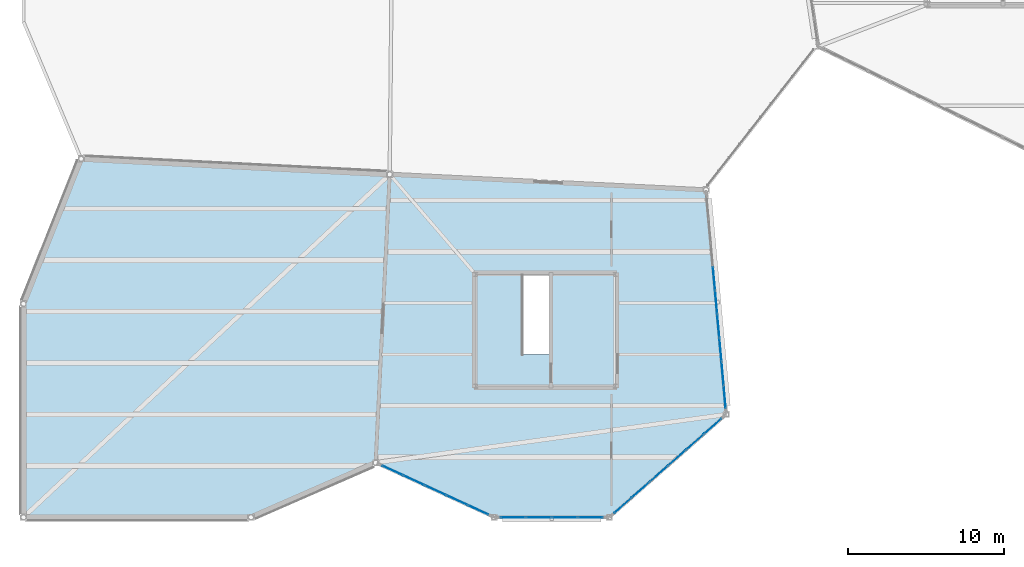
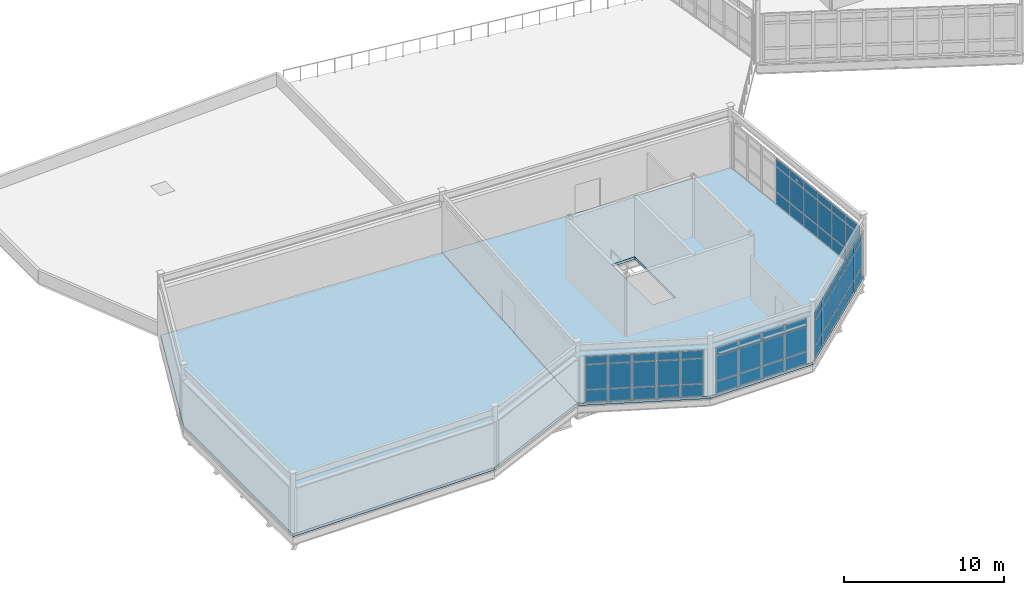
# One storey, part 68 of 114: 63 plates, 2 slabs, 4 elements without a shape of their own.
"""IFC4 building model written with IfcOpenShell, lengths in metres."""

from ifc_helpers import new_model, si_unit, direction, frame, origin, origin_2d, place, context, subcontext, project, spatial, polyline, rectangle, outline, extrude, material, layer, layer_set, type_object, element, aggregate, save


model = new_model("IFC4")

# Units and contexts
model_context = context("Model", 3, precision=1e-05, world=origin(), true_north=direction((0.0, 1.0)))
body_context = subcontext(model_context, "Body", "Model", "MODEL_VIEW")
ifc_project = project(units=[si_unit("LENGTHUNIT", "METRE"), si_unit("AREAUNIT", "SQUARE_METRE"), si_unit("VOLUMEUNIT", "CUBIC_METRE"), si_unit("PLANEANGLEUNIT", "RADIAN"), si_unit("MASSUNIT", "GRAM", prefix="KILO")], contexts=[model_context])

# Site, building, storey
site_placement = place(None, origin())
site = spatial("IfcSite", under=ifc_project, at=site_placement, CompositionType="ELEMENT")
building_placement = place(site_placement, origin())
building = spatial("IfcBuilding", under=site, at=building_placement, Name="Tameran Prism Museum", CompositionType="ELEMENT")
storey_placement = place(building_placement, frame((0.0, 0.0, 10.199951171875)))
storey = spatial("IfcBuildingStorey", under=building, at=storey_placement, Name="L02", CompositionType="ELEMENT", Elevation=10.199951171875)

# Curtain wall, plates
ifc_material_1 = material(Name="Anodised Aluminium 6063-T6 and Cyclone Solar Glass", Category="aluminium")
curtain_wall_type_1 = type_object("IfcCurtainWallType", Name="CW-FAC-670x362", PredefinedType="USERDEFINED", material=ifc_material_1)
curtain_wall_1_placement = place(storey_placement, origin())
curtain_wall_1 = element("IfcCurtainWall", 1, at=curtain_wall_1_placement, inside=storey, type_object=curtain_wall_type_1, Name="Unitised Curtain Wall CW-121", ObjectType="UNITISED CURTAIN WALL", PredefinedType="USERDEFINED")
ifc_material_2 = material(Name="Low-E Laminated Solar Glass", Category="glass")
ifc_layer_1 = layer(ifc_material_2, 0.028076171875)
ifc_layer_set_1 = layer_set([ifc_layer_1])
plate_type_1 = type_object("IfcPlateType", Name="CW-PNL-G28", PredefinedType="CURTAIN_PANEL", material=ifc_layer_set_1)
plate_1_placement = place(storey_placement, frame((36.393798828125, 0.0, 0.0751953125), z_axis=(0.0, 0.0, 1.0), x_axis=(-1.0, 0.0, 0.0)))
plate_1 = element("IfcPlate", 2, at=plate_1_placement, type_object=plate_type_1, Name="CW-121 panel 1.1", PredefinedType="CURTAIN_PANEL", context=body_context, shape_type="SweptSolid", body=[
    extrude(rectangle(XDim=1.5625, YDim=0.028076171875, at=origin_2d()), origin(), (0.0, 0.0, 1.0), 0.887451171875),
])
plate_2_placement = place(storey_placement, frame((36.393798828125, 0.0, 1.03759765625), z_axis=(0.0, 0.0, 1.0), x_axis=(-1.0, 0.0, 0.0)))
plate_2 = element("IfcPlate", 3, at=plate_2_placement, type_object=plate_type_1, Name="CW-121 panel 1.2", PredefinedType="CURTAIN_PANEL", context=body_context, shape_type="SweptSolid", body=[
    extrude(rectangle(XDim=1.5625, YDim=0.028076171875, at=origin_2d()), origin(), (0.0, 0.0, 1.0), 1.864990234375),
])
plate_3_placement = place(storey_placement, frame((36.393798828125, 0.0, 2.9775390625), z_axis=(0.0, 0.0, 1.0), x_axis=(-1.0, 0.0, 0.0)))
plate_3 = element("IfcPlate", 4, at=plate_3_placement, type_object=plate_type_1, Name="CW-121 panel 1.3", PredefinedType="CURTAIN_PANEL", context=body_context, shape_type="SweptSolid", body=[
    extrude(rectangle(XDim=1.5625, YDim=0.028076171875, at=origin_2d()), origin(), (0.0, 0.0, 1.0), 0.5673828125),
])
plate_4_placement = place(storey_placement, frame((34.737548828125, 0.0, 0.0751953125), z_axis=(0.0, 0.0, 1.0), x_axis=(-1.0, 0.0, 0.0)))
plate_4 = element("IfcPlate", 5, at=plate_4_placement, type_object=plate_type_1, Name="CW-121 panel 2.1", PredefinedType="CURTAIN_PANEL", context=body_context, shape_type="SweptSolid", body=[
    extrude(rectangle(XDim=1.60009765625, YDim=0.028076171875, at=origin_2d()), origin(), (0.0, 0.0, 1.0), 0.887451171875),
])
plate_5_placement = place(storey_placement, frame((34.737548828125, 0.0, 1.03759765625), z_axis=(0.0, 0.0, 1.0), x_axis=(-1.0, 0.0, 0.0)))
plate_5 = element("IfcPlate", 6, at=plate_5_placement, type_object=plate_type_1, Name="CW-121 panel 2.2", PredefinedType="CURTAIN_PANEL", context=body_context, shape_type="SweptSolid", body=[
    extrude(rectangle(XDim=1.60009765625, YDim=0.028076171875, at=origin_2d()), origin(), (0.0, 0.0, 1.0), 1.864990234375),
])
plate_6_placement = place(storey_placement, frame((34.737548828125, 0.0, 2.9775390625), z_axis=(0.0, 0.0, 1.0), x_axis=(-1.0, 0.0, 0.0)))
plate_6 = element("IfcPlate", 7, at=plate_6_placement, type_object=plate_type_1, Name="CW-121 panel 2.3", PredefinedType="CURTAIN_PANEL", context=body_context, shape_type="SweptSolid", body=[
    extrude(rectangle(XDim=1.60009765625, YDim=0.028076171875, at=origin_2d()), origin(), (0.0, 0.0, 1.0), 0.5673828125),
])
plate_7_placement = place(storey_placement, frame((33.0625, 0.0, 0.0751953125), z_axis=(0.0, 0.0, 1.0), x_axis=(-1.0, 0.0, 0.0)))
plate_7 = element("IfcPlate", 8, at=plate_7_placement, type_object=plate_type_1, Name="CW-121 panel 3.1", PredefinedType="CURTAIN_PANEL", context=body_context, shape_type="SweptSolid", body=[
    extrude(rectangle(XDim=1.60009765625, YDim=0.028076171875, at=origin_2d()), origin(), (0.0, 0.0, 1.0), 0.887451171875),
])
plate_8_placement = place(storey_placement, frame((33.0625, 0.0, 1.03759765625), z_axis=(0.0, 0.0, 1.0), x_axis=(-1.0, 0.0, 0.0)))
plate_8 = element("IfcPlate", 9, at=plate_8_placement, type_object=plate_type_1, Name="CW-121 panel 3.2", PredefinedType="CURTAIN_PANEL", context=body_context, shape_type="SweptSolid", body=[
    extrude(rectangle(XDim=1.60009765625, YDim=0.028076171875, at=origin_2d()), origin(), (0.0, 0.0, 1.0), 1.864990234375),
])
plate_9_placement = place(storey_placement, frame((33.0625, 0.0, 2.9775390625), z_axis=(0.0, 0.0, 1.0), x_axis=(-1.0, 0.0, 0.0)))
plate_9 = element("IfcPlate", 10, at=plate_9_placement, type_object=plate_type_1, Name="CW-121 panel 3.3", PredefinedType="CURTAIN_PANEL", context=body_context, shape_type="SweptSolid", body=[
    extrude(rectangle(XDim=1.60009765625, YDim=0.028076171875, at=origin_2d()), origin(), (0.0, 0.0, 1.0), 0.5673828125),
])
plate_10_placement = place(storey_placement, frame((31.40625, 0.0, 0.0751953125), z_axis=(0.0, 0.0, 1.0), x_axis=(-1.0, 0.0, 0.0)))
plate_10 = element("IfcPlate", 11, at=plate_10_placement, type_object=plate_type_1, Name="CW-121 panel 4.1", PredefinedType="CURTAIN_PANEL", context=body_context, shape_type="SweptSolid", body=[
    extrude(rectangle(XDim=1.5625, YDim=0.028076171875, at=origin_2d()), origin(), (0.0, 0.0, 1.0), 0.887451171875),
])
plate_11_placement = place(storey_placement, frame((31.40625, 0.0, 1.03759765625), z_axis=(0.0, 0.0, 1.0), x_axis=(-1.0, 0.0, 0.0)))
plate_11 = element("IfcPlate", 12, at=plate_11_placement, type_object=plate_type_1, Name="CW-121 panel 4.2", PredefinedType="CURTAIN_PANEL", context=body_context, shape_type="SweptSolid", body=[
    extrude(rectangle(XDim=1.5625, YDim=0.028076171875, at=origin_2d()), origin(), (0.0, 0.0, 1.0), 1.864990234375),
])
plate_12_placement = place(storey_placement, frame((31.40625, 0.0, 2.9775390625), z_axis=(0.0, 0.0, 1.0), x_axis=(-1.0, 0.0, 0.0)))
plate_12 = element("IfcPlate", 13, at=plate_12_placement, type_object=plate_type_1, Name="CW-121 panel 4.3", PredefinedType="CURTAIN_PANEL", context=body_context, shape_type="SweptSolid", body=[
    extrude(rectangle(XDim=1.5625, YDim=0.028076171875, at=origin_2d()), origin(), (0.0, 0.0, 1.0), 0.5673828125),
])
aggregate(curtain_wall_1, [plate_1, plate_2, plate_3, plate_4, plate_5, plate_6, plate_7, plate_8, plate_9, plate_10, plate_11, plate_12])

ifc_material_3 = material(Name="Anodised Aluminium 6063-T6 and Cyclone Solar Glass", Category="aluminium")
curtain_wall_type_2 = type_object("IfcCurtainWallType", Name="CW-FAC-929x362", PredefinedType="USERDEFINED", material=ifc_material_3)
curtain_wall_2_placement = place(storey_placement, origin())
curtain_wall_2 = element("IfcCurtainWall", 14, at=curtain_wall_2_placement, inside=storey, type_object=curtain_wall_type_2, Name="Unitised Curtain Wall CW-122", ObjectType="UNITISED CURTAIN WALL", PredefinedType="USERDEFINED")
plate_13_placement = place(storey_placement, frame((44.24072265625, 5.84423828125, 0.080078125), z_axis=(0.0, 0.0, 1.0), x_axis=(-0.750666538716, -0.660681275391, 0.0)))
plate_13 = element("IfcPlate", 15, at=plate_13_placement, type_object=plate_type_1, Name="CW-122 panel 1.1", PredefinedType="CURTAIN_PANEL", context=body_context, shape_type="SweptSolid", body=[
    extrude(rectangle(XDim=1.428466796875, YDim=0.028076171875, at=origin_2d()), origin(), (0.0, 0.0, 1.0), 0.8798828125),
])
plate_14_placement = place(storey_placement, frame((44.24072265625, 5.84423828125, 1.0400390625), z_axis=(0.0, 0.0, 1.0), x_axis=(-0.750666538716, -0.660681275391, 0.0)))
plate_14 = element("IfcPlate", 16, at=plate_14_placement, type_object=plate_type_1, Name="CW-122 panel 1.2", PredefinedType="CURTAIN_PANEL", context=body_context, shape_type="SweptSolid", body=[
    extrude(rectangle(XDim=1.428466796875, YDim=0.028076171875, at=origin_2d()), origin(), (0.0, 0.0, 1.0), 1.860107421875),
])
plate_15_placement = place(storey_placement, frame((44.24072265625, 5.84423828125, 2.97998046875), z_axis=(0.0, 0.0, 1.0), x_axis=(-0.750666538716, -0.660681275391, 0.0)))
plate_15 = element("IfcPlate", 17, at=plate_15_placement, type_object=plate_type_1, Name="CW-122 panel 1.3", PredefinedType="CURTAIN_PANEL", context=body_context, shape_type="SweptSolid", body=[
    extrude(rectangle(XDim=1.428466796875, YDim=0.028076171875, at=origin_2d()), origin(), (0.0, 0.0, 1.0), 0.56005859375),
])
plate_16_placement = place(storey_placement, frame((43.093505859375, 4.83447265625, 0.080078125), z_axis=(0.0, 0.0, 1.0), x_axis=(-0.750666538716, -0.660681275391, 0.0)))
plate_16 = element("IfcPlate", 18, at=plate_16_placement, type_object=plate_type_1, Name="CW-122 panel 2.1", PredefinedType="CURTAIN_PANEL", context=body_context, shape_type="SweptSolid", body=[
    extrude(rectangle(XDim=1.468505859375, YDim=0.028076171875, at=origin_2d()), origin(), (0.0, 0.0, 1.0), 0.8798828125),
])
plate_17_placement = place(storey_placement, frame((43.093505859375, 4.83447265625, 1.0400390625), z_axis=(0.0, 0.0, 1.0), x_axis=(-0.750666538716, -0.660681275391, 0.0)))
plate_17 = element("IfcPlate", 19, at=plate_17_placement, type_object=plate_type_1, Name="CW-122 panel 2.2", PredefinedType="CURTAIN_PANEL", context=body_context, shape_type="SweptSolid", body=[
    extrude(rectangle(XDim=1.468505859375, YDim=0.028076171875, at=origin_2d()), origin(), (0.0, 0.0, 1.0), 1.860107421875),
])
plate_18_placement = place(storey_placement, frame((43.093505859375, 4.83447265625, 2.97998046875), z_axis=(0.0, 0.0, 1.0), x_axis=(-0.750666538716, -0.660681275391, 0.0)))
plate_18 = element("IfcPlate", 20, at=plate_18_placement, type_object=plate_type_1, Name="CW-122 panel 2.3", PredefinedType="CURTAIN_PANEL", context=body_context, shape_type="SweptSolid", body=[
    extrude(rectangle(XDim=1.468505859375, YDim=0.028076171875, at=origin_2d()), origin(), (0.0, 0.0, 1.0), 0.56005859375),
])
plate_19_placement = place(storey_placement, frame((41.93115234375, 3.8115234375, 0.080078125), z_axis=(0.0, 0.0, 1.0), x_axis=(-0.750666538716, -0.660681275391, 0.0)))
plate_19 = element("IfcPlate", 21, at=plate_19_placement, type_object=plate_type_1, Name="CW-122 panel 3.1", PredefinedType="CURTAIN_PANEL", context=body_context, shape_type="SweptSolid", body=[
    extrude(rectangle(XDim=1.468505859375, YDim=0.028076171875, at=origin_2d()), origin(), (0.0, 0.0, 1.0), 0.8798828125),
])
plate_20_placement = place(storey_placement, frame((41.93115234375, 3.8115234375, 1.0400390625), z_axis=(0.0, 0.0, 1.0), x_axis=(-0.750666538716, -0.660681275391, 0.0)))
plate_20 = element("IfcPlate", 22, at=plate_20_placement, type_object=plate_type_1, Name="CW-122 panel 3.2", PredefinedType="CURTAIN_PANEL", context=body_context, shape_type="SweptSolid", body=[
    extrude(rectangle(XDim=1.468505859375, YDim=0.028076171875, at=origin_2d()), origin(), (0.0, 0.0, 1.0), 1.860107421875),
])
plate_21_placement = place(storey_placement, frame((41.93115234375, 3.8115234375, 2.97998046875), z_axis=(0.0, 0.0, 1.0), x_axis=(-0.750666538716, -0.660681275391, 0.0)))
plate_21 = element("IfcPlate", 23, at=plate_21_placement, type_object=plate_type_1, Name="CW-122 panel 3.3", PredefinedType="CURTAIN_PANEL", context=body_context, shape_type="SweptSolid", body=[
    extrude(rectangle(XDim=1.468505859375, YDim=0.028076171875, at=origin_2d()), origin(), (0.0, 0.0, 1.0), 0.56005859375),
])
plate_22_placement = place(storey_placement, frame((40.768798828125, 2.78857421875, 0.080078125), z_axis=(0.0, 0.0, 1.0), x_axis=(-0.750666538716, -0.660681275391, 0.0)))
plate_22 = element("IfcPlate", 24, at=plate_22_placement, type_object=plate_type_1, Name="CW-122 panel 4.1", PredefinedType="CURTAIN_PANEL", context=body_context, shape_type="SweptSolid", body=[
    extrude(rectangle(XDim=1.468505859375, YDim=0.028076171875, at=origin_2d()), origin(), (0.0, 0.0, 1.0), 0.8798828125),
])
plate_23_placement = place(storey_placement, frame((40.768798828125, 2.78857421875, 1.0400390625), z_axis=(0.0, 0.0, 1.0), x_axis=(-0.750666538716, -0.660681275391, 0.0)))
plate_23 = element("IfcPlate", 25, at=plate_23_placement, type_object=plate_type_1, Name="CW-122 panel 4.2", PredefinedType="CURTAIN_PANEL", context=body_context, shape_type="SweptSolid", body=[
    extrude(rectangle(XDim=1.468505859375, YDim=0.028076171875, at=origin_2d()), origin(), (0.0, 0.0, 1.0), 1.860107421875),
])
plate_24_placement = place(storey_placement, frame((40.768798828125, 2.78857421875, 2.97998046875), z_axis=(0.0, 0.0, 1.0), x_axis=(-0.750666538716, -0.660681275391, 0.0)))
plate_24 = element("IfcPlate", 26, at=plate_24_placement, type_object=plate_type_1, Name="CW-122 panel 4.3", PredefinedType="CURTAIN_PANEL", context=body_context, shape_type="SweptSolid", body=[
    extrude(rectangle(XDim=1.468505859375, YDim=0.028076171875, at=origin_2d()), origin(), (0.0, 0.0, 1.0), 0.56005859375),
])
plate_25_placement = place(storey_placement, frame((39.6064453125, 1.765380859375, 0.080078125), z_axis=(0.0, 0.0, 1.0), x_axis=(-0.750666538716, -0.660681275391, 0.0)))
plate_25 = element("IfcPlate", 27, at=plate_25_placement, type_object=plate_type_1, Name="CW-122 panel 5.1", PredefinedType="CURTAIN_PANEL", context=body_context, shape_type="SweptSolid", body=[
    extrude(rectangle(XDim=1.468505859375, YDim=0.028076171875, at=origin_2d()), origin(), (0.0, 0.0, 1.0), 0.8798828125),
])
plate_26_placement = place(storey_placement, frame((39.6064453125, 1.765380859375, 1.0400390625), z_axis=(0.0, 0.0, 1.0), x_axis=(-0.750666538716, -0.660681275391, 0.0)))
plate_26 = element("IfcPlate", 28, at=plate_26_placement, type_object=plate_type_1, Name="CW-122 panel 5.2", PredefinedType="CURTAIN_PANEL", context=body_context, shape_type="SweptSolid", body=[
    extrude(rectangle(XDim=1.468505859375, YDim=0.028076171875, at=origin_2d()), origin(), (0.0, 0.0, 1.0), 1.860107421875),
])
plate_27_placement = place(storey_placement, frame((39.6064453125, 1.765380859375, 2.97998046875), z_axis=(0.0, 0.0, 1.0), x_axis=(-0.750666538716, -0.660681275391, 0.0)))
plate_27 = element("IfcPlate", 29, at=plate_27_placement, type_object=plate_type_1, Name="CW-122 panel 5.3", PredefinedType="CURTAIN_PANEL", context=body_context, shape_type="SweptSolid", body=[
    extrude(rectangle(XDim=1.468505859375, YDim=0.028076171875, at=origin_2d()), origin(), (0.0, 0.0, 1.0), 0.56005859375),
])
plate_28_placement = place(storey_placement, frame((38.459228515625, 0.755615234375, 0.080078125), z_axis=(0.0, 0.0, 1.0), x_axis=(-0.750666538716, -0.660681275391, 0.0)))
plate_28 = element("IfcPlate", 30, at=plate_28_placement, type_object=plate_type_1, Name="CW-122 panel 6.1", PredefinedType="CURTAIN_PANEL", context=body_context, shape_type="SweptSolid", body=[
    extrude(rectangle(XDim=1.428466796875, YDim=0.028076171875, at=origin_2d()), origin(), (0.0, 0.0, 1.0), 0.8798828125),
])
plate_29_placement = place(storey_placement, frame((38.459228515625, 0.755615234375, 1.0400390625), z_axis=(0.0, 0.0, 1.0), x_axis=(-0.750666538716, -0.660681275391, 0.0)))
plate_29 = element("IfcPlate", 31, at=plate_29_placement, type_object=plate_type_1, Name="CW-122 panel 6.2", PredefinedType="CURTAIN_PANEL", context=body_context, shape_type="SweptSolid", body=[
    extrude(rectangle(XDim=1.428466796875, YDim=0.028076171875, at=origin_2d()), origin(), (0.0, 0.0, 1.0), 1.860107421875),
])
plate_30_placement = place(storey_placement, frame((38.459228515625, 0.755615234375, 2.97998046875), z_axis=(0.0, 0.0, 1.0), x_axis=(-0.750666538716, -0.660681275391, 0.0)))
plate_30 = element("IfcPlate", 32, at=plate_30_placement, type_object=plate_type_1, Name="CW-122 panel 6.3", PredefinedType="CURTAIN_PANEL", context=body_context, shape_type="SweptSolid", body=[
    extrude(rectangle(XDim=1.428466796875, YDim=0.028076171875, at=origin_2d()), origin(), (0.0, 0.0, 1.0), 0.56005859375),
])
aggregate(curtain_wall_2, [plate_13, plate_14, plate_15, plate_16, plate_17, plate_18, plate_19, plate_20, plate_21, plate_22, plate_23, plate_24, plate_25, plate_26, plate_27, plate_28, plate_29, plate_30])

ifc_material_4 = material(Name="Anodised Aluminium 6063-T6 and Cyclone Solar Glass", Category="aluminium")
curtain_wall_type_3 = type_object("IfcCurtainWallType", Name="CW-FAC-1376x362", PredefinedType="USERDEFINED", material=ifc_material_4)
curtain_wall_3_placement = place(storey_placement, origin())
curtain_wall_3 = element("IfcCurtainWall", 33, at=curtain_wall_3_placement, inside=storey, type_object=curtain_wall_type_3, Name="Unitised Curtain Wall CW-123", ObjectType="UNITISED CURTAIN WALL", PredefinedType="USERDEFINED")
plate_31_placement = place(storey_placement, frame((44.3125, 15.322509765625, 0.06494140625), z_axis=(0.0, 0.0, 1.0), x_axis=(0.089985225386, -0.995943100389, 0.0)))
plate_31 = element("IfcPlate", 34, at=plate_31_placement, type_object=plate_type_1, Name="CW-123 panel 4.1", PredefinedType="CURTAIN_PANEL", context=body_context, shape_type="SweptSolid", body=[
    extrude(rectangle(XDim=1.463623046875, YDim=0.028076171875, at=origin_2d()), origin(), (0.0, 0.0, 1.0), 0.902587890625),
])
plate_32_placement = place(storey_placement, frame((44.3125, 15.322509765625, 1.032470703125), z_axis=(0.0, 0.0, 1.0), x_axis=(0.089985225386, -0.995943100389, 0.0)))
plate_32 = element("IfcPlate", 35, at=plate_32_placement, type_object=plate_type_1, Name="CW-123 panel 4.2", PredefinedType="CURTAIN_PANEL", context=body_context, shape_type="SweptSolid", body=[
    extrude(rectangle(XDim=1.463623046875, YDim=0.028076171875, at=origin_2d()), origin(), (0.0, 0.0, 1.0), 1.875),
])
plate_33_placement = place(storey_placement, frame((44.3125, 15.322509765625, 2.97265625), z_axis=(0.0, 0.0, 1.0), x_axis=(0.089985225386, -0.995943100389, 0.0)))
plate_33 = element("IfcPlate", 36, at=plate_33_placement, type_object=plate_type_1, Name="CW-123 panel 4.3", PredefinedType="CURTAIN_PANEL", context=body_context, shape_type="SweptSolid", body=[
    extrude(rectangle(XDim=1.463623046875, YDim=0.028076171875, at=origin_2d()), origin(), (0.0, 0.0, 1.0), 0.58251953125),
])
plate_34_placement = place(storey_placement, frame((44.449951171875, 13.800048828125, 0.06494140625), z_axis=(0.0, 0.0, 1.0), x_axis=(0.089985225386, -0.995943100389, 0.0)))
plate_34 = element("IfcPlate", 37, at=plate_34_placement, type_object=plate_type_1, Name="CW-123 panel 5.1", PredefinedType="CURTAIN_PANEL", context=body_context, shape_type="SweptSolid", body=[
    extrude(rectangle(XDim=1.463623046875, YDim=0.028076171875, at=origin_2d()), origin(), (0.0, 0.0, 1.0), 0.902587890625),
])
plate_35_placement = place(storey_placement, frame((44.449951171875, 13.800048828125, 1.032470703125), z_axis=(0.0, 0.0, 1.0), x_axis=(0.089985225386, -0.995943100389, 0.0)))
plate_35 = element("IfcPlate", 38, at=plate_35_placement, type_object=plate_type_1, Name="CW-123 panel 5.2", PredefinedType="CURTAIN_PANEL", context=body_context, shape_type="SweptSolid", body=[
    extrude(rectangle(XDim=1.463623046875, YDim=0.028076171875, at=origin_2d()), origin(), (0.0, 0.0, 1.0), 1.875),
])
plate_36_placement = place(storey_placement, frame((44.449951171875, 13.800048828125, 2.97265625), z_axis=(0.0, 0.0, 1.0), x_axis=(0.089985225386, -0.995943100389, 0.0)))
plate_36 = element("IfcPlate", 39, at=plate_36_placement, type_object=plate_type_1, Name="CW-123 panel 5.3", PredefinedType="CURTAIN_PANEL", context=body_context, shape_type="SweptSolid", body=[
    extrude(rectangle(XDim=1.463623046875, YDim=0.028076171875, at=origin_2d()), origin(), (0.0, 0.0, 1.0), 0.58251953125),
])
plate_37_placement = place(storey_placement, frame((44.587646484375, 12.277587890625, 0.06494140625), z_axis=(0.0, 0.0, 1.0), x_axis=(0.089985225386, -0.995943100389, 0.0)))
plate_37 = element("IfcPlate", 40, at=plate_37_placement, type_object=plate_type_1, Name="CW-123 panel 6.1", PredefinedType="CURTAIN_PANEL", context=body_context, shape_type="SweptSolid", body=[
    extrude(rectangle(XDim=1.463623046875, YDim=0.028076171875, at=origin_2d()), origin(), (0.0, 0.0, 1.0), 0.902587890625),
])
plate_38_placement = place(storey_placement, frame((44.587646484375, 12.277587890625, 1.032470703125), z_axis=(0.0, 0.0, 1.0), x_axis=(0.089985225386, -0.995943100389, 0.0)))
plate_38 = element("IfcPlate", 41, at=plate_38_placement, type_object=plate_type_1, Name="CW-123 panel 6.2", PredefinedType="CURTAIN_PANEL", context=body_context, shape_type="SweptSolid", body=[
    extrude(rectangle(XDim=1.463623046875, YDim=0.028076171875, at=origin_2d()), origin(), (0.0, 0.0, 1.0), 1.875),
])
plate_39_placement = place(storey_placement, frame((44.587646484375, 12.277587890625, 2.97265625), z_axis=(0.0, 0.0, 1.0), x_axis=(0.089985225386, -0.995943100389, 0.0)))
plate_39 = element("IfcPlate", 42, at=plate_39_placement, type_object=plate_type_1, Name="CW-123 panel 6.3", PredefinedType="CURTAIN_PANEL", context=body_context, shape_type="SweptSolid", body=[
    extrude(rectangle(XDim=1.463623046875, YDim=0.028076171875, at=origin_2d()), origin(), (0.0, 0.0, 1.0), 0.58251953125),
])
plate_40_placement = place(storey_placement, frame((44.72509765625, 10.755126953125, 0.06494140625), z_axis=(0.0, 0.0, 1.0), x_axis=(0.089985225386, -0.995943100389, 0.0)))
plate_40 = element("IfcPlate", 43, at=plate_40_placement, type_object=plate_type_1, Name="CW-123 panel 7.1", PredefinedType="CURTAIN_PANEL", context=body_context, shape_type="SweptSolid", body=[
    extrude(rectangle(XDim=1.463623046875, YDim=0.028076171875, at=origin_2d()), origin(), (0.0, 0.0, 1.0), 0.902587890625),
])
plate_41_placement = place(storey_placement, frame((44.72509765625, 10.755126953125, 1.032470703125), z_axis=(0.0, 0.0, 1.0), x_axis=(0.089985225386, -0.995943100389, 0.0)))
plate_41 = element("IfcPlate", 44, at=plate_41_placement, type_object=plate_type_1, Name="CW-123 panel 7.2", PredefinedType="CURTAIN_PANEL", context=body_context, shape_type="SweptSolid", body=[
    extrude(rectangle(XDim=1.463623046875, YDim=0.028076171875, at=origin_2d()), origin(), (0.0, 0.0, 1.0), 1.875),
])
plate_42_placement = place(storey_placement, frame((44.72509765625, 10.755126953125, 2.97265625), z_axis=(0.0, 0.0, 1.0), x_axis=(0.089985225386, -0.995943100389, 0.0)))
plate_42 = element("IfcPlate", 45, at=plate_42_placement, type_object=plate_type_1, Name="CW-123 panel 7.3", PredefinedType="CURTAIN_PANEL", context=body_context, shape_type="SweptSolid", body=[
    extrude(rectangle(XDim=1.463623046875, YDim=0.028076171875, at=origin_2d()), origin(), (0.0, 0.0, 1.0), 0.58251953125),
])
plate_43_placement = place(storey_placement, frame((44.862548828125, 9.232666015625, 0.06494140625), z_axis=(0.0, 0.0, 1.0), x_axis=(0.089985225386, -0.995943100389, 0.0)))
plate_43 = element("IfcPlate", 46, at=plate_43_placement, type_object=plate_type_1, Name="CW-123 panel 8.1", PredefinedType="CURTAIN_PANEL", context=body_context, shape_type="SweptSolid", body=[
    extrude(rectangle(XDim=1.463623046875, YDim=0.028076171875, at=origin_2d()), origin(), (0.0, 0.0, 1.0), 0.902587890625),
])
plate_44_placement = place(storey_placement, frame((44.862548828125, 9.232666015625, 1.032470703125), z_axis=(0.0, 0.0, 1.0), x_axis=(0.089985225386, -0.995943100389, 0.0)))
plate_44 = element("IfcPlate", 47, at=plate_44_placement, type_object=plate_type_1, Name="CW-123 panel 8.2", PredefinedType="CURTAIN_PANEL", context=body_context, shape_type="SweptSolid", body=[
    extrude(rectangle(XDim=1.463623046875, YDim=0.028076171875, at=origin_2d()), origin(), (0.0, 0.0, 1.0), 1.875),
])
plate_45_placement = place(storey_placement, frame((44.862548828125, 9.232666015625, 2.97265625), z_axis=(0.0, 0.0, 1.0), x_axis=(0.089985225386, -0.995943100389, 0.0)))
plate_45 = element("IfcPlate", 48, at=plate_45_placement, type_object=plate_type_1, Name="CW-123 panel 8.3", PredefinedType="CURTAIN_PANEL", context=body_context, shape_type="SweptSolid", body=[
    extrude(rectangle(XDim=1.463623046875, YDim=0.028076171875, at=origin_2d()), origin(), (0.0, 0.0, 1.0), 0.58251953125),
])
plate_46_placement = place(storey_placement, frame((44.998779296875, 7.726318359375, 0.06494140625), z_axis=(0.0, 0.0, 1.0), x_axis=(0.089985225386, -0.995943100389, 0.0)))
plate_46 = element("IfcPlate", 49, at=plate_46_placement, type_object=plate_type_1, Name="CW-123 panel 9.1", PredefinedType="CURTAIN_PANEL", context=body_context, shape_type="SweptSolid", body=[
    extrude(rectangle(XDim=1.43115234375, YDim=0.028076171875, at=origin_2d()), origin(), (0.0, 0.0, 1.0), 0.902587890625),
])
plate_47_placement = place(storey_placement, frame((44.998779296875, 7.726318359375, 1.032470703125), z_axis=(0.0, 0.0, 1.0), x_axis=(0.089985225386, -0.995943100389, 0.0)))
plate_47 = element("IfcPlate", 50, at=plate_47_placement, type_object=plate_type_1, Name="CW-123 panel 9.2", PredefinedType="CURTAIN_PANEL", context=body_context, shape_type="SweptSolid", body=[
    extrude(rectangle(XDim=1.43115234375, YDim=0.028076171875, at=origin_2d()), origin(), (0.0, 0.0, 1.0), 1.875),
])
plate_48_placement = place(storey_placement, frame((44.998779296875, 7.726318359375, 2.97265625), z_axis=(0.0, 0.0, 1.0), x_axis=(0.089985225386, -0.995943100389, 0.0)))
plate_48 = element("IfcPlate", 51, at=plate_48_placement, type_object=plate_type_1, Name="CW-123 panel 9.3", PredefinedType="CURTAIN_PANEL", context=body_context, shape_type="SweptSolid", body=[
    extrude(rectangle(XDim=1.43115234375, YDim=0.028076171875, at=origin_2d()), origin(), (0.0, 0.0, 1.0), 0.58251953125),
])
aggregate(curtain_wall_3, [plate_31, plate_32, plate_33, plate_34, plate_35, plate_36, plate_37, plate_38, plate_39, plate_40, plate_41, plate_42, plate_43, plate_44, plate_45, plate_46, plate_47, plate_48])

ifc_material_5 = material(Name="Anodised Aluminium 6063-T6 and Cyclone Solar Glass", Category="aluminium")
curtain_wall_type_4 = type_object("IfcCurtainWallType", Name="CW-FAC-761x362", PredefinedType="USERDEFINED", material=ifc_material_5)
curtain_wall_4_placement = place(storey_placement, origin())
curtain_wall_4 = element("IfcCurtainWall", 52, at=curtain_wall_4_placement, inside=storey, type_object=curtain_wall_type_4, Name="Unitised Curtain Wall CW-120", ObjectType="UNITISED CURTAIN WALL", PredefinedType="USERDEFINED")
ifc_material_6 = material(Name="Cyclone Laminated Solar Glass", Category="glass")
ifc_layer_2 = layer(ifc_material_6, 0.031982421875)
ifc_layer_set_2 = layer_set([ifc_layer_2])
plate_type_2 = type_object("IfcPlateType", Name="CW-PNL-G32", PredefinedType="CURTAIN_PANEL", material=ifc_layer_set_2)
plate_49_placement = place(storey_placement, frame((29.175048828125, 0.4716796875, 0.070068359375), z_axis=(0.0, 0.0, 1.0), x_axis=(-0.908270749425, 0.418382893697, 0.0)))
plate_49 = element("IfcPlate", 53, at=plate_49_placement, type_object=plate_type_2, Name="CW-120 panel 1.1", PredefinedType="CURTAIN_PANEL", context=body_context, shape_type="SweptSolid", body=[
    extrude(rectangle(XDim=1.41650390625, YDim=0.031982421875, at=origin_2d()), origin(), (0.0, 0.0, 1.0), 0.89501953125),
])
plate_50_placement = place(storey_placement, frame((29.175048828125, 0.4716796875, 1.034912109375), z_axis=(0.0, 0.0, 1.0), x_axis=(-0.908270749425, 0.418382893697, 0.0)))
plate_50 = element("IfcPlate", 54, at=plate_50_placement, type_object=plate_type_2, Name="CW-120 panel 1.2", PredefinedType="CURTAIN_PANEL", context=body_context, shape_type="SweptSolid", body=[
    extrude(rectangle(XDim=1.41650390625, YDim=0.031982421875, at=origin_2d()), origin(), (0.0, 0.0, 1.0), 1.8701171875),
])
plate_51_placement = place(storey_placement, frame((29.175048828125, 0.4716796875, 2.97509765625), z_axis=(0.0, 0.0, 1.0), x_axis=(-0.908270749425, 0.418382893697, 0.0)))
plate_51 = element("IfcPlate", 55, at=plate_51_placement, type_object=plate_type_2, Name="CW-120 panel 1.3", PredefinedType="CURTAIN_PANEL", context=body_context, shape_type="SweptSolid", body=[
    extrude(rectangle(XDim=1.41650390625, YDim=0.031982421875, at=origin_2d()), origin(), (0.0, 0.0, 1.0), 0.574951171875),
])
plate_52_placement = place(storey_placement, frame((27.80908203125, 1.100830078125, 0.070068359375), z_axis=(0.0, 0.0, 1.0), x_axis=(-0.908270749425, 0.418382893697, 0.0)))
plate_52 = element("IfcPlate", 56, at=plate_52_placement, type_object=plate_type_2, Name="CW-120 panel 2.1", PredefinedType="CURTAIN_PANEL", context=body_context, shape_type="SweptSolid", body=[
    extrude(rectangle(XDim=1.45166015625, YDim=0.031982421875, at=origin_2d()), origin(), (0.0, 0.0, 1.0), 0.89501953125),
])
plate_53_placement = place(storey_placement, frame((27.80908203125, 1.100830078125, 1.034912109375), z_axis=(0.0, 0.0, 1.0), x_axis=(-0.908270749425, 0.418382893697, 0.0)))
plate_53 = element("IfcPlate", 57, at=plate_53_placement, type_object=plate_type_2, Name="CW-120 panel 2.2", PredefinedType="CURTAIN_PANEL", context=body_context, shape_type="SweptSolid", body=[
    extrude(rectangle(XDim=1.45166015625, YDim=0.031982421875, at=origin_2d()), origin(), (0.0, 0.0, 1.0), 1.8701171875),
])
plate_54_placement = place(storey_placement, frame((27.80908203125, 1.100830078125, 2.97509765625), z_axis=(0.0, 0.0, 1.0), x_axis=(-0.908270749425, 0.418382893697, 0.0)))
plate_54 = element("IfcPlate", 58, at=plate_54_placement, type_object=plate_type_2, Name="CW-120 panel 2.3", PredefinedType="CURTAIN_PANEL", context=body_context, shape_type="SweptSolid", body=[
    extrude(rectangle(XDim=1.45166015625, YDim=0.031982421875, at=origin_2d()), origin(), (0.0, 0.0, 1.0), 0.574951171875),
])
plate_55_placement = place(storey_placement, frame((26.427001953125, 1.737548828125, 0.070068359375), z_axis=(0.0, 0.0, 1.0), x_axis=(-0.908270749425, 0.418382893697, 0.0)))
plate_55 = element("IfcPlate", 59, at=plate_55_placement, type_object=plate_type_2, Name="CW-120 panel 3.1", PredefinedType="CURTAIN_PANEL", context=body_context, shape_type="SweptSolid", body=[
    extrude(rectangle(XDim=1.45166015625, YDim=0.031982421875, at=origin_2d()), origin(), (0.0, 0.0, 1.0), 0.89501953125),
])
plate_56_placement = place(storey_placement, frame((26.427001953125, 1.737548828125, 1.034912109375), z_axis=(0.0, 0.0, 1.0), x_axis=(-0.908270749425, 0.418382893697, 0.0)))
plate_56 = element("IfcPlate", 60, at=plate_56_placement, type_object=plate_type_2, Name="CW-120 panel 3.2", PredefinedType="CURTAIN_PANEL", context=body_context, shape_type="SweptSolid", body=[
    extrude(rectangle(XDim=1.45166015625, YDim=0.031982421875, at=origin_2d()), origin(), (0.0, 0.0, 1.0), 1.8701171875),
])
plate_57_placement = place(storey_placement, frame((26.427001953125, 1.737548828125, 2.97509765625), z_axis=(0.0, 0.0, 1.0), x_axis=(-0.908270749425, 0.418382893697, 0.0)))
plate_57 = element("IfcPlate", 61, at=plate_57_placement, type_object=plate_type_2, Name="CW-120 panel 3.3", PredefinedType="CURTAIN_PANEL", context=body_context, shape_type="SweptSolid", body=[
    extrude(rectangle(XDim=1.45166015625, YDim=0.031982421875, at=origin_2d()), origin(), (0.0, 0.0, 1.0), 0.574951171875),
])
plate_58_placement = place(storey_placement, frame((25.044921875, 2.3740234375, 0.070068359375), z_axis=(0.0, 0.0, 1.0), x_axis=(-0.908270749425, 0.418382893697, 0.0)))
plate_58 = element("IfcPlate", 62, at=plate_58_placement, type_object=plate_type_2, Name="CW-120 panel 4.1", PredefinedType="CURTAIN_PANEL", context=body_context, shape_type="SweptSolid", body=[
    extrude(rectangle(XDim=1.45166015625, YDim=0.031982421875, at=origin_2d()), origin(), (0.0, 0.0, 1.0), 0.89501953125),
])
plate_59_placement = place(storey_placement, frame((25.044921875, 2.3740234375, 1.034912109375), z_axis=(0.0, 0.0, 1.0), x_axis=(-0.908270749425, 0.418382893697, 0.0)))
plate_59 = element("IfcPlate", 63, at=plate_59_placement, type_object=plate_type_2, Name="CW-120 panel 4.2", PredefinedType="CURTAIN_PANEL", context=body_context, shape_type="SweptSolid", body=[
    extrude(rectangle(XDim=1.45166015625, YDim=0.031982421875, at=origin_2d()), origin(), (0.0, 0.0, 1.0), 1.8701171875),
])
plate_60_placement = place(storey_placement, frame((25.044921875, 2.3740234375, 2.97509765625), z_axis=(0.0, 0.0, 1.0), x_axis=(-0.908270749425, 0.418382893697, 0.0)))
plate_60 = element("IfcPlate", 64, at=plate_60_placement, type_object=plate_type_2, Name="CW-120 panel 4.3", PredefinedType="CURTAIN_PANEL", context=body_context, shape_type="SweptSolid", body=[
    extrude(rectangle(XDim=1.45166015625, YDim=0.031982421875, at=origin_2d()), origin(), (0.0, 0.0, 1.0), 0.574951171875),
])
plate_61_placement = place(storey_placement, frame((23.678955078125, 3.00341796875, 0.070068359375), z_axis=(0.0, 0.0, 1.0), x_axis=(-0.908270749425, 0.418382893697, 0.0)))
plate_61 = element("IfcPlate", 65, at=plate_61_placement, type_object=plate_type_2, Name="CW-120 panel 5.1", PredefinedType="CURTAIN_PANEL", context=body_context, shape_type="SweptSolid", body=[
    extrude(rectangle(XDim=1.41650390625, YDim=0.031982421875, at=origin_2d()), origin(), (0.0, 0.0, 1.0), 0.89501953125),
])
plate_62_placement = place(storey_placement, frame((23.678955078125, 3.00341796875, 1.034912109375), z_axis=(0.0, 0.0, 1.0), x_axis=(-0.908270749425, 0.418382893697, 0.0)))
plate_62 = element("IfcPlate", 66, at=plate_62_placement, type_object=plate_type_2, Name="CW-120 panel 5.2", PredefinedType="CURTAIN_PANEL", context=body_context, shape_type="SweptSolid", body=[
    extrude(rectangle(XDim=1.41650390625, YDim=0.031982421875, at=origin_2d()), origin(), (0.0, 0.0, 1.0), 1.8701171875),
])
plate_63_placement = place(storey_placement, frame((23.678955078125, 3.00341796875, 2.97509765625), z_axis=(0.0, 0.0, 1.0), x_axis=(-0.908270749425, 0.418382893697, 0.0)))
plate_63 = element("IfcPlate", 67, at=plate_63_placement, type_object=plate_type_2, Name="CW-120 panel 5.3", PredefinedType="CURTAIN_PANEL", context=body_context, shape_type="SweptSolid", body=[
    extrude(rectangle(XDim=1.41650390625, YDim=0.031982421875, at=origin_2d()), origin(), (0.0, 0.0, 1.0), 0.574951171875),
])
aggregate(curtain_wall_4, [plate_49, plate_50, plate_51, plate_52, plate_53, plate_54, plate_55, plate_56, plate_57, plate_58, plate_59, plate_60, plate_61, plate_62, plate_63])

# Slabs
ifc_material_7 = material(Name="Concrete N32 (32 MPa)", Category="concrete")
ifc_layer_3 = layer(ifc_material_7, 0.199951171875)
ifc_layer_set_3 = layer_set([ifc_layer_3])
slab_type = type_object("IfcSlabType", Name="SL-FLR-200", PredefinedType="FLOOR", material=ifc_layer_set_3)
slab_1_placement = place(storey_placement, frame((0.0, 0.0, -0.199951171875)))
element("IfcSlab", 68, at=slab_1_placement, inside=storey, type_object=slab_type, Name="Floor Slab FS-P11-L02", PredefinedType="FLOOR", context=body_context, shape_type="SweptSolid", body=[
    extrude(outline(polyline([(23.5, 22.0), (3.699951171875, 23.0), (0.0, 13.699951171875), (0.0, 0.0), (14.60009765625, 0.0), (22.60009765625, 3.5), (23.5, 22.0)])), origin(), (0.0, 0.0, 1.0), 0.199951171875),
])
slab_2_placement = place(storey_placement, frame((0.0, 0.0, -0.199951171875)))
element("IfcSlab", 69, at=slab_2_placement, inside=storey, type_object=slab_type, Name="Floor Slab FS-P12-L02", PredefinedType="FLOOR", context=body_context, shape_type="SweptSolid", body=[
    extrude(outline(polyline([(23.5, 22.0), (43.800048828125, 21.0), (45.10009765625, 6.60009765625), (37.60009765625, 0.0), (30.199951171875, 0.0), (22.60009765625, 3.5), (23.5, 22.0)]), holes=[polyline([(33.719970703125, 15.550048828125), (32.050048828125, 15.550048828125), (32.050048828125, 10.43994140625), (33.719970703125, 10.43994140625), (33.719970703125, 15.550048828125)])]), origin(), (0.0, 0.0, 1.0), 0.199951171875),
])

save(model, "model.ifc")
